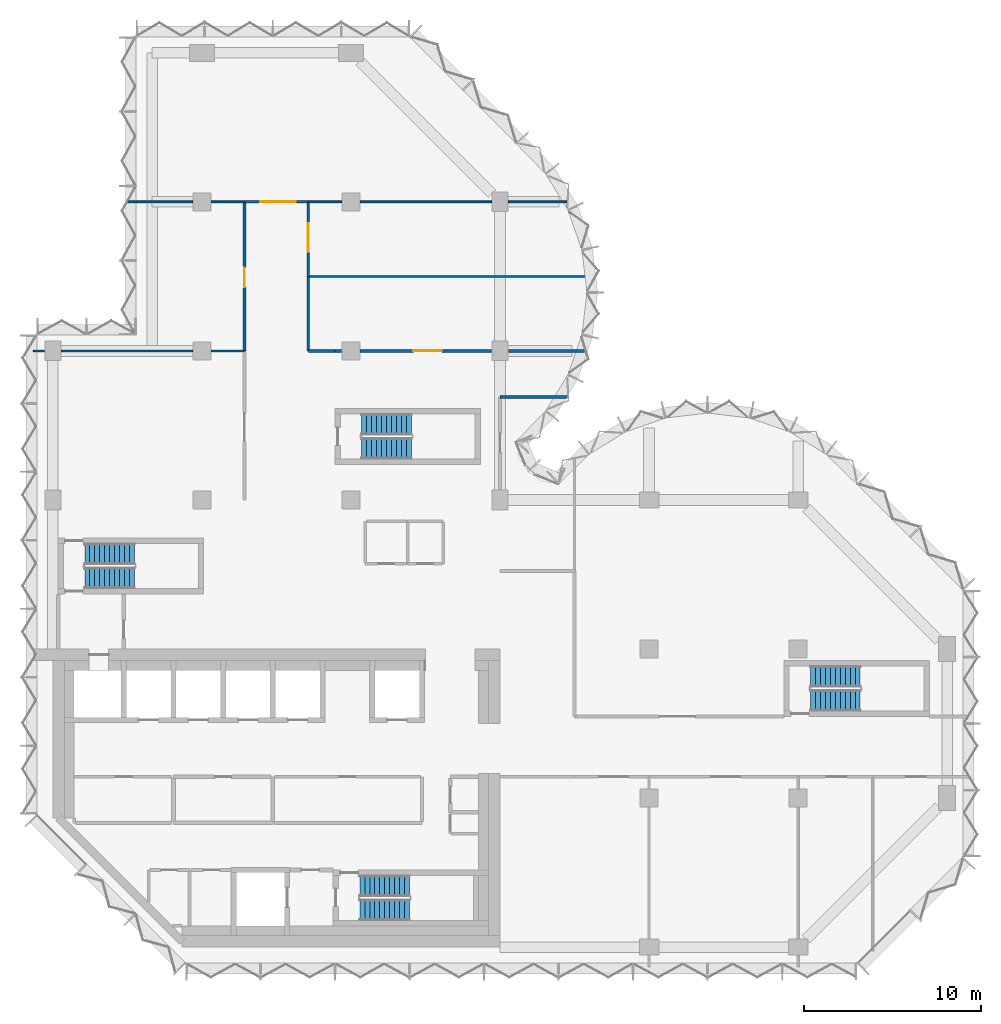
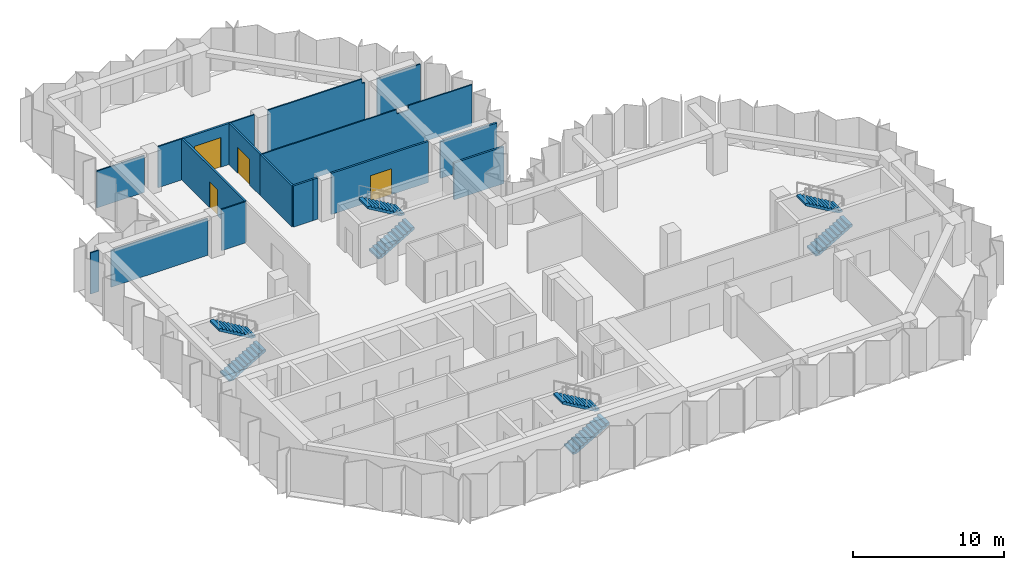
# One storey, part 7 of 9: 18 walls, 8 stair flights, 4 doors, 4 openings, 4 elements without a shape of their own.
"""IFC4 building model written with IfcOpenShell, lengths in metres."""

import ifcopenshell
import ifcopenshell.guid

model = None  # the IFC model being written
_history = None  # IfcOwnerHistory: only IFC2X3 demands one
_inside = {}  # id of a spatial element -> (the spatial element, [elements in it])
_under = {}  # id of a project, library or spatial element -> (it, [spatial elements below it])
_declared = {}  # id of a project -> (the project, [libraries it declares])
_typed = {}  # id of a type object -> (the type object, [elements of that type])
_made_of = {}  # id of a material, layer set ... -> (it, [elements and type objects made of it])


def new_model(schema):
    """Start an empty IFC model of exactly this schema.

    Asked for "IFC4X3", IfcOpenShell would pick the latest addendum, in which some entities
    have other attributes; the version numbers below select the first issue.
    IFC2X3 requires an IfcOwnerHistory on every rooted entity: one is made here for all.
    """
    global model, _history
    if schema == "IFC4X3":
        model = ifcopenshell.file(schema_version=(4, 3, 0, 0))
    else:
        model = ifcopenshell.file(schema=schema)
    _inside.clear()
    _under.clear()
    _declared.clear()
    _typed.clear()
    _made_of.clear()
    _history = None
    if model.schema == "IFC2X3":
        org = make("IfcOrganization", Name="unknown")
        user = make(
            "IfcPersonAndOrganization",
            ThePerson=make("IfcPerson", FamilyName="unknown"),
            TheOrganization=org,
        )
        app = make(
            "IfcApplication",
            ApplicationDeveloper=org,
            Version="unknown",
            ApplicationFullName="unknown",
            ApplicationIdentifier="unknown",
        )
        _history = make(
            "IfcOwnerHistory",
            OwningUser=user,
            OwningApplication=app,
            ChangeAction="ADDED",
            CreationDate=0,
        )
    return model


def make(cls, **values):
    """One entity of the class cls with the attributes given. An attribute that is None is left unset."""
    return model.create_entity(
        cls, **{name: value for name, value in values.items() if value is not None}
    )


def rooted(cls, **values):
    """An entity with a GlobalId (a new one), such as an element, a storey or a relation."""
    return make(cls, GlobalId=ifcopenshell.guid.new(), OwnerHistory=_history, **values)


def si_unit(unit_type, name, prefix=None):
    """IfcSIUnit, for example si_unit("LENGTHUNIT", "METRE", prefix="MILLI")."""
    return make("IfcSIUnit", UnitType=unit_type, Prefix=prefix, Name=name)


def assignment(units):
    """IfcUnitAssignment: the units of a project."""
    return None if units is None else make("IfcUnitAssignment", Units=units)


def point(xyz):
    """IfcCartesianPoint."""
    return None if xyz is None else make("IfcCartesianPoint", Coordinates=xyz)


def direction(xyz):
    """IfcDirection."""
    return None if xyz is None else make("IfcDirection", DirectionRatios=xyz)


def frame(location, z_axis=None, x_axis=None):
    """IfcAxis2Placement3D, a coordinate frame: its origin and axes. An axis left out is left unset."""
    return make(
        "IfcAxis2Placement3D",
        Location=point(location),
        Axis=direction(z_axis),
        RefDirection=direction(x_axis),
    )


def frame_2d(location, x_axis=None):
    """IfcAxis2Placement2D, a coordinate frame in the plane: its origin and x axis."""
    return make(
        "IfcAxis2Placement2D", Location=point(location), RefDirection=direction(x_axis)
    )


def origin():
    """The frame at (0, 0, 0) with its axes left unset."""
    return frame((0.0, 0.0, 0.0))


def place(relative_to, where):
    """IfcLocalPlacement: puts the frame where relative to a parent placement (None: the world)."""
    return make(
        "IfcLocalPlacement", PlacementRelTo=relative_to, RelativePlacement=where
    )


def context(
    kind, dimensions, precision=None, world=None, true_north=None, identifier=None
):
    """IfcGeometricRepresentationContext, for example the 3D "Model" context."""
    return make(
        "IfcGeometricRepresentationContext",
        ContextIdentifier=identifier,
        ContextType=kind,
        CoordinateSpaceDimension=dimensions,
        Precision=precision,
        WorldCoordinateSystem=world,
        TrueNorth=true_north,
    )


def subcontext(parent, identifier, kind, view, scale=None):
    """IfcGeometricRepresentationSubContext, for example "Body" below "Model"."""
    return make(
        "IfcGeometricRepresentationSubContext",
        ContextIdentifier=identifier,
        ContextType=kind,
        ParentContext=parent,
        TargetScale=scale,
        TargetView=view,
    )


def project(units=None, contexts=None):
    """IfcProject with its units and contexts."""
    return rooted(
        "IfcProject",
        Name="project",
        RepresentationContexts=contexts,
        UnitsInContext=assignment(units),
    )


def spatial(cls, under=None, at=None, **own):
    """A site, building, storey or space (cls), placed at a placement, below another one or the project."""
    s = rooted(cls, ObjectPlacement=at, **own)
    if under is not None:
        _under.setdefault(under.id(), (under, []))[1].append(s)
    return s


def polyline(points):
    """IfcPolyline through the points."""
    return make("IfcPolyline", Points=[point(p) for p in points])


def profile(cls, at=None, kind="AREA", **sizes):
    """A parametric profile (cls). Its sizes go by their IFC names, for example OverallWidth=200.0."""
    return make(cls, ProfileType=kind, Position=at, **sizes)


def rectangle(**sizes):
    """IfcRectangleProfileDef."""
    return profile("IfcRectangleProfileDef", **sizes)


def outline(outer, holes=None, kind="AREA"):
    """IfcArbitraryClosedProfileDef: a profile drawn as a closed curve; with holes, ...WithVoids."""
    if holes is None:
        return make("IfcArbitraryClosedProfileDef", ProfileType=kind, OuterCurve=outer)
    return make(
        "IfcArbitraryProfileDefWithVoids",
        ProfileType=kind,
        OuterCurve=outer,
        InnerCurves=holes,
    )


def extrude(swept, where, along, depth):
    """IfcExtrudedAreaSolid: the profile swept, set in the frame where, extruded along a direction by depth."""
    return make(
        "IfcExtrudedAreaSolid",
        SweptArea=swept,
        Position=where,
        ExtrudedDirection=direction(along),
        Depth=depth,
    )


def shape(context_of_items, identifier, shape_type, items):
    """IfcShapeRepresentation: the items that make up one representation, for example the "Body"."""
    return make(
        "IfcShapeRepresentation",
        ContextOfItems=context_of_items,
        RepresentationIdentifier=identifier,
        RepresentationType=shape_type,
        Items=items,
    )


def material(Name=None, Category=None):
    """IfcMaterial."""
    return make("IfcMaterial", Name=Name, Category=Category)


def layer(
    of_material, thickness, ventilated=None, Name=None, Category=None, Priority=None
):
    """IfcMaterialLayer: one layer of a wall or slab, of a material (None: an air gap)."""
    return make(
        "IfcMaterialLayer",
        Material=of_material,
        LayerThickness=thickness,
        IsVentilated=ventilated,
        Name=Name,
        Category=Category,
        Priority=Priority,
    )


def layer_set(layers, Name=None):
    """IfcMaterialLayerSet."""
    return make("IfcMaterialLayerSet", MaterialLayers=layers, LayerSetName=Name)


def made_of(thing, what):
    """Note that an element or type object is made of a material, layer set ...; save() writes the relation."""
    if what is not None:
        _made_of.setdefault(what.id(), (what, []))[1].append(thing)
    return thing


def type_object(cls, material=None, **own):
    """A type object (cls), such as IfcWallType, which elements share."""
    return made_of(rooted(cls, **own), material)


def element(
    cls,
    number,
    at=None,
    inside=None,
    cuts=None,
    type_object=None,
    material=None,
    context=None,
    identifier="Body",
    shape_type=None,
    held_by="IfcProductDefinitionShape",
    body=None,
    shapes=None,
    **own,
):
    """One element of the class cls, such as IfcWall. Its Tag is "e" and its number.

    at: its placement. inside: the storey or other place that contains it. cuts: it is an
    opening in that element (IfcRelVoidsElement). A single representation is given by context,
    identifier, shape_type and body (its items); several are given by shapes. held_by: the class
    of the entity that holds the representations. save() writes the other relations.
    """
    e = rooted(cls, Tag="e%d" % number, ObjectPlacement=at, **own)
    if body is not None:
        shapes = [shape(context, identifier, shape_type, body)]
    if shapes is not None:
        e.Representation = make(held_by, Representations=shapes)
    if inside is not None:
        _inside.setdefault(inside.id(), (inside, []))[1].append(e)
    if cuts is not None:
        rooted(
            "IfcRelVoidsElement", RelatingBuildingElement=cuts, RelatedOpeningElement=e
        )
    if type_object is not None:
        _typed.setdefault(type_object.id(), (type_object, []))[1].append(e)
    return made_of(e, material)


def fill(opening, filler):
    """IfcRelFillsElement: the door or window that sits in an opening."""
    return rooted(
        "IfcRelFillsElement",
        RelatingOpeningElement=opening,
        RelatedBuildingElement=filler,
    )


def aggregate(whole, parts):
    """IfcRelAggregates: a whole, such as a stair, and the parts it consists of."""
    return rooted("IfcRelAggregates", RelatingObject=whole, RelatedObjects=parts)


def save(model, path):
    """Write the relations noted so far, then the file.

    IfcRelAggregates (storeys below a building ...), IfcRelContainedInSpatialStructure (elements
    in a storey), IfcRelDefinesByType, IfcRelAssociatesMaterial and IfcRelDeclares: one each for
    every whole, place, type object, material and project.
    """
    for whole, parts in _under.values():
        aggregate(whole, parts)
    for where, things in _inside.values():
        rooted(
            "IfcRelContainedInSpatialStructure",
            RelatedElements=things,
            RelatingStructure=where,
        )
    for kind, things in _typed.values():
        rooted("IfcRelDefinesByType", RelatedObjects=things, RelatingType=kind)
    for what, things in _made_of.values():
        rooted("IfcRelAssociatesMaterial", RelatedObjects=things, RelatingMaterial=what)
    for by, libraries in _declared.values():
        rooted("IfcRelDeclares", RelatingContext=by, RelatedDefinitions=libraries)
    model.write(path)


model = new_model("IFC4")

# Units and contexts
model_context = context("Model", 3, precision=1e-05, world=origin(), true_north=direction((0.0, 1.0)))
body_context = subcontext(model_context, "Body", "Model", "MODEL_VIEW")
ifc_project = project(units=[si_unit("LENGTHUNIT", "METRE"), si_unit("AREAUNIT", "SQUARE_METRE"), si_unit("VOLUMEUNIT", "CUBIC_METRE"), si_unit("PLANEANGLEUNIT", "RADIAN"), si_unit("MASSUNIT", "GRAM", prefix="KILO")], contexts=[model_context])

# Site, building, storey
site_placement = place(None, origin())
site = spatial("IfcSite", under=ifc_project, at=site_placement, CompositionType="ELEMENT")
building_placement = place(site_placement, origin())
building = spatial("IfcBuilding", under=site, at=building_placement, Name="Brevane Broadcast Tower", CompositionType="ELEMENT")
storey_placement = place(building_placement, frame((0.0, 0.0, 188.39990234375)))
storey = spatial("IfcBuildingStorey", under=building, at=storey_placement, Name="L47", CompositionType="ELEMENT", Elevation=188.39990234375)

# Walls
ifc_material_1 = material(Name="Gypsum board partition")
ifc_layer_1 = layer(ifc_material_1, 0.10009765625)
ifc_layer_set_1 = layer_set([ifc_layer_1], Name="PARTITION 100 STUD")
wall_type_1 = type_object("IfcWallType", Name="PARTITION 100 STUD", PredefinedType="PARTITIONING", material=ifc_layer_set_1)
wall_1_placement = place(storey_placement, frame((10.800048828125, 42.0, 0.0), z_axis=(0.0, 0.0, 1.0), x_axis=(-1.0, 0.0, 0.0)))
element("IfcWall", 1, at=wall_1_placement, inside=storey, type_object=wall_type_1, Name="Partition G14-029", PredefinedType="PARTITIONING", context=body_context, shape_type="SweptSolid", body=[
    extrude(rectangle(XDim=1.880126953125, YDim=0.10009765625, at=frame_2d((0.93994140625, 0.0))), origin(), (0.0, 0.0, 1.0), 3.330078125),
])
wall_2_placement = place(storey_placement, frame((7.8798828125, 42.0, 0.0), z_axis=(0.0, 0.0, 1.0), x_axis=(-1.0, 0.0, 0.0)))
element("IfcWall", 2, at=wall_2_placement, inside=storey, type_object=wall_type_1, Name="Partition G14-030", PredefinedType="PARTITIONING", context=body_context, shape_type="SweptSolid", body=[
    extrude(rectangle(XDim=3.644775390625, YDim=0.10009765625, at=frame_2d((1.822265625, 0.0))), origin(), (0.0, 0.0, 1.0), 2.97998046875),
])
wall_3_placement = place(storey_placement, frame((29.011474609375, 42.0, 0.0), z_axis=(0.0, 0.0, 1.0), x_axis=(-1.0, 0.0, 0.0)))
element("IfcWall", 3, at=wall_3_placement, inside=storey, type_object=wall_type_1, Name="Partition G14-031", PredefinedType="PARTITIONING", context=body_context, shape_type="SweptSolid", body=[
    extrude(rectangle(XDim=3.341552734375, YDim=0.10009765625, at=frame_2d((1.6708984375, 0.0))), origin(), (0.0, 0.0, 1.0), 2.97998046875),
])
wall_4_placement = place(storey_placement, frame((24.72998046875, 42.0, 0.0), z_axis=(0.0, 0.0, 1.0), x_axis=(-1.0, 0.0, 0.0)))
element("IfcWall", 4, at=wall_4_placement, inside=storey, type_object=wall_type_1, Name="Partition G14-032", PredefinedType="PARTITIONING", context=body_context, shape_type="SweptSolid", body=[
    extrude(outline(polyline([(0.0, 0.0), (7.409912109375, 0.0), (7.409912109375, 3.330078125), (0.19580078125, 3.330078125), (0.193603515625, 2.97998046875), (0.0, 2.97998046875), (0.0, 0.0)])), frame((0.0, 0.050048828125, 0.0), z_axis=(0.0, -1.0, 0.0), x_axis=(1.0, 0.0, 0.0)), (0.0, 0.0, 1.0), 0.10009765625),
])
wall_5_placement = place(storey_placement, frame((16.280029296875, 42.0, 0.0), z_axis=(0.0, 0.0, 1.0), x_axis=(-1.0, 0.0, 0.0)))
element("IfcWall", 5, at=wall_5_placement, inside=storey, type_object=wall_type_1, Name="Partition G14-033", PredefinedType="PARTITIONING", context=body_context, shape_type="SweptSolid", body=[
    extrude(rectangle(XDim=1.880126953125, YDim=0.10009765625, at=frame_2d((0.93994140625, 0.0))), origin(), (0.0, 0.0, 1.0), 3.330078125),
])
wall_6_placement = place(storey_placement, frame((-1.10009765625, 33.60009765625, 0.0), z_axis=(0.0, 0.0, 1.0), x_axis=(1.0, 0.0, 0.0)))
element("IfcWall", 6, at=wall_6_placement, inside=storey, type_object=wall_type_1, Name="Partition G14-034", PredefinedType="PARTITIONING", context=body_context, shape_type="SweptSolid", body=[
    extrude(rectangle(XDim=0.630126953125, YDim=0.10009765625, at=frame_2d((0.31494140625, 0.0))), origin(), (0.0, 0.0, 1.0), 3.330078125),
])
wall_7_placement = place(storey_placement, frame((0.469970703125, 33.60009765625, 0.0), z_axis=(0.0, 0.0, 1.0), x_axis=(1.0, 0.0, 0.0)))
element("IfcWall", 7, at=wall_7_placement, inside=storey, type_object=wall_type_1, Name="Partition G14-035", PredefinedType="PARTITIONING", context=body_context, shape_type="SweptSolid", body=[
    extrude(outline(polyline([(0.0, 0.0), (7.409912109375, 0.0), (7.409912109375, 2.97998046875), (0.0, 2.97998046875), (0.0, 0.0)])), frame((0.0, 0.050048828125, 0.0), z_axis=(0.0, -1.0, 0.0), x_axis=(1.0, 0.0, 0.0)), (0.0, 0.0, 1.0), 0.10009765625),
])
wall_8_placement = place(storey_placement, frame((8.919921875, 33.60009765625, 0.0), z_axis=(0.0, 0.0, 1.0), x_axis=(1.0, 0.0, 0.0)))
element("IfcWall", 8, at=wall_8_placement, inside=storey, type_object=wall_type_1, Name="Partition G14-036", PredefinedType="PARTITIONING", context=body_context, shape_type="SweptSolid", body=[
    extrude(rectangle(XDim=1.880126953125, YDim=0.10009765625, at=frame_2d((0.93994140625, 0.0))), origin(), (0.0, 0.0, 1.0), 3.330078125),
])
wall_9_placement = place(storey_placement, frame((14.39990234375, 37.800048828125, 0.0), z_axis=(0.0, 0.0, 1.0), x_axis=(1.0, 0.0, 0.0)))
element("IfcWall", 9, at=wall_9_placement, inside=storey, type_object=wall_type_1, Name="Partition G14-037", PredefinedType="PARTITIONING", context=body_context, shape_type="SweptSolid", body=[
    extrude(outline(polyline([(0.0, 0.0), (16.1259765625, 0.0), (16.1259765625, 3.330078125), (15.8427734375, 3.330078125), (11.25, 3.330078125), (11.248046875, 2.97998046875), (10.35205078125, 2.97998046875), (10.35009765625, 3.330078125), (0.0, 3.330078125), (0.0, 0.0)])), frame((0.0, 0.050048828125, 0.0), z_axis=(0.0, -1.0, 0.0), x_axis=(1.0, 0.0, 0.0)), (0.0, 0.0, 1.0), 0.10009765625),
])
ifc_layer_2 = layer(ifc_material_1, 0.14990234375)
ifc_layer_set_2 = layer_set([ifc_layer_2], Name="PARTITION 150 EI 60")
wall_type_2 = type_object("IfcWallType", Name="PARTITION 150 EI 60", PredefinedType="PARTITIONING", material=ifc_layer_set_2)
wall_10_placement = place(storey_placement, frame((25.199951171875, 31.0, 0.0), z_axis=(0.0, 0.0, 1.0), x_axis=(1.0, 0.0, 0.0)))
element("IfcWall", 10, at=wall_10_placement, inside=storey, type_object=wall_type_2, Name="Partition G14-006", PredefinedType="PARTITIONING", context=body_context, shape_type="SweptSolid", body=[
    extrude(rectangle(XDim=3.80615234375, YDim=0.14990234375, at=frame_2d((1.903076171875, 0.0))), origin(), (0.0, 0.0, 1.0), 2.97998046875),
])
wall_11_placement = place(storey_placement, frame((14.39990234375, 33.60009765625, 0.0), z_axis=(0.0, 0.0, 1.0), x_axis=(1.0, 0.0, 0.0)))
element("IfcWall", 11, at=wall_11_placement, inside=storey, type_object=wall_type_2, Name="Partition G14-021", PredefinedType="PARTITIONING", context=body_context, shape_type="SweptSolid", body=[
    extrude(rectangle(XDim=1.5, YDim=0.14990234375, at=frame_2d((0.75, 0.0))), origin(), (0.0, 0.0, 1.0), 3.330078125),
])
wall_12_placement = place(storey_placement, frame((15.89990234375, 33.60009765625, 0.0), z_axis=(0.0, 0.0, 1.0), x_axis=(1.0, 0.0, 0.0)))
element("IfcWall", 12, at=wall_12_placement, inside=storey, type_object=wall_type_2, Name="Partition G14-022", PredefinedType="PARTITIONING", context=body_context, shape_type="SweptSolid", body=[
    extrude(rectangle(XDim=0.380126953125, YDim=0.14990234375, at=frame_2d((0.18994140625, 0.0))), origin(), (0.0, 0.0, 1.0), 3.330078125),
])

# Wall, opening, door
wall_13_placement = place(storey_placement, frame((17.320068359375, 33.60009765625, 0.0), z_axis=(0.0, 0.0, 1.0), x_axis=(1.0, 0.0, 0.0)))
wall_13 = element("IfcWall", 13, at=wall_13_placement, inside=storey, type_object=wall_type_2, Name="Partition G14-023", PredefinedType="PARTITIONING", context=body_context, shape_type="SweptSolid", body=[
    extrude(rectangle(XDim=7.409912109375, YDim=0.14990234375, at=frame_2d((3.705078125, 0.0))), origin(), (0.0, 0.0, 1.0), 3.330078125),
])
opening_1_placement = place(wall_13_placement, frame((3.0, 0.0, 0.0)))
opening_1 = element("IfcOpeningElement", 14, at=opening_1_placement, cuts=wall_13, Name="Opening D23-010", PredefinedType="OPENING", context=body_context, shape_type="SweptSolid", body=[
    extrude(rectangle(XDim=1.60009765625, YDim=2.10009765625, at=frame_2d((0.800048828125, 1.050048828125))), frame((0.0, 0.0849609375, 0.0), z_axis=(0.0, -1.0, 0.0), x_axis=(1.0, 0.0, 0.0)), (0.0, 0.0, 1.0), 0.169921875),
])
ifc_material_2 = material(Name="Fire-rated timber door leaf", Category="wood")
door_type_1 = type_object("IfcDoorType", Name="DOOR DOUBLE 1600 FD30S", OperationType="DOUBLE_DOOR_SINGLE_SWING", PredefinedType="DOOR", material=ifc_material_2)
door_1_placement = place(opening_1_placement, origin())
door_1 = element("IfcDoor", 15, at=door_1_placement, inside=storey, type_object=door_type_1, Name="Door D23-010", OperationType="DOUBLE_DOOR_SINGLE_SWING", OverallHeight=2.10009765625, OverallWidth=1.60009765625, PredefinedType="DOOR", context=body_context, shape_type="SweptSolid", body=[
    extrude(rectangle(XDim=1.60009765625, YDim=2.10009765625, at=frame_2d((0.800048828125, 1.050048828125))), frame((0.0, 0.02490234375, 0.0), z_axis=(0.0, -1.0, 0.0), x_axis=(1.0, 0.0, 0.0)), (0.0, 0.0, 1.0), 0.050048828125),
])
fill(opening_1, door_1)

# Wall
wall_14_placement = place(storey_placement, frame((25.669921875, 33.60009765625, 0.0), z_axis=(0.0, 0.0, 1.0), x_axis=(1.0, 0.0, 0.0)))
element("IfcWall", 16, at=wall_14_placement, inside=storey, type_object=wall_type_2, Name="Partition G14-024", PredefinedType="PARTITIONING", context=body_context, shape_type="SweptSolid", body=[
    extrude(rectangle(XDim=4.318359375, YDim=0.14990234375, at=frame_2d((2.1591796875, 0.0))), origin(), (0.0, 0.0, 1.0), 2.97998046875),
])

# Wall, opening, door
wall_15_placement = place(storey_placement, frame((10.800048828125, 42.0, 0.0), z_axis=(0.0, 0.0, 1.0), x_axis=(1.0, 0.0, 0.0)))
wall_15 = element("IfcWall", 17, at=wall_15_placement, inside=storey, type_object=wall_type_2, Name="Partition G14-025", PredefinedType="PARTITIONING", context=body_context, shape_type="SweptSolid", body=[
    extrude(rectangle(XDim=3.599853515625, YDim=0.14990234375, at=frame_2d((1.7998046875, 0.0))), origin(), (0.0, 0.0, 1.0), 3.330078125),
])
opening_2_placement = place(wall_15_placement, frame((0.89990234375, 0.0, 0.0)))
opening_2 = element("IfcOpeningElement", 18, at=opening_2_placement, cuts=wall_15, Name="Opening D23-007", PredefinedType="OPENING", context=body_context, shape_type="SweptSolid", body=[
    extrude(rectangle(XDim=2.0, YDim=2.39990234375, at=frame_2d((1.0, 1.199951171875))), frame((0.0, 0.0849609375, 0.0), z_axis=(0.0, -1.0, 0.0), x_axis=(1.0, 0.0, 0.0)), (0.0, 0.0, 1.0), 0.169921875),
])
door_type_2 = type_object("IfcDoorType", Name="DOOR DOUBLE 2000 FD30S", OperationType="DOUBLE_DOOR_SINGLE_SWING", PredefinedType="DOOR", material=ifc_material_2)
door_2_placement = place(opening_2_placement, origin())
door_2 = element("IfcDoor", 19, at=door_2_placement, inside=storey, type_object=door_type_2, Name="Door D23-007", OperationType="DOUBLE_DOOR_SINGLE_SWING", OverallHeight=2.39990234375, OverallWidth=2.0, PredefinedType="DOOR", context=body_context, shape_type="SweptSolid", body=[
    extrude(rectangle(XDim=2.0, YDim=2.39990234375, at=frame_2d((1.0, 1.199951171875))), frame((0.0, 0.02490234375, 0.0), z_axis=(0.0, -1.0, 0.0), x_axis=(1.0, 0.0, 0.0)), (0.0, 0.0, 1.0), 0.050048828125),
])
fill(opening_2, door_2)

wall_16_placement = place(storey_placement, frame((10.800048828125, 33.60009765625, 0.0), z_axis=(0.0, 0.0, 1.0), x_axis=(0.0, 1.0, 0.0)))
wall_16 = element("IfcWall", 20, at=wall_16_placement, inside=storey, type_object=wall_type_2, Name="Partition G14-026", PredefinedType="PARTITIONING", context=body_context, shape_type="SweptSolid", body=[
    extrude(rectangle(XDim=8.39990234375, YDim=0.14990234375, at=frame_2d((4.199951171875, 0.0))), origin(), (0.0, 0.0, 1.0), 3.330078125),
])
opening_3_placement = place(wall_16_placement, frame((3.60009765625, 0.0, 0.0)))
opening_3 = element("IfcOpeningElement", 21, at=opening_3_placement, cuts=wall_16, Name="Opening D23-009", PredefinedType="OPENING", context=body_context, shape_type="SweptSolid", body=[
    extrude(rectangle(XDim=1.10009765625, YDim=2.10009765625, at=frame_2d((0.550048828125, 1.050048828125))), frame((0.0, 0.0849609375, 0.0), z_axis=(0.0, -1.0, 0.0), x_axis=(1.0, 0.0, 0.0)), (0.0, 0.0, 1.0), 0.169921875),
])
door_type_3 = type_object("IfcDoorType", Name="DOOR SINGLE 1100 FD30S", OperationType="SINGLE_SWING_LEFT", PredefinedType="DOOR", material=ifc_material_2)
door_3_placement = place(opening_3_placement, origin())
door_3 = element("IfcDoor", 22, at=door_3_placement, inside=storey, type_object=door_type_3, Name="Door D23-009", OperationType="SINGLE_SWING_LEFT", OverallHeight=2.10009765625, OverallWidth=1.10009765625, PredefinedType="DOOR", context=body_context, shape_type="SweptSolid", body=[
    extrude(rectangle(XDim=1.10009765625, YDim=2.10009765625, at=frame_2d((0.550048828125, 1.050048828125))), frame((0.0, 0.02490234375, 0.0), z_axis=(0.0, -1.0, 0.0), x_axis=(1.0, 0.0, 0.0)), (0.0, 0.0, 1.0), 0.050048828125),
])
fill(opening_3, door_3)

# Wall
wall_17_placement = place(storey_placement, frame((14.39990234375, 37.800048828125, 0.0), z_axis=(0.0, 0.0, 1.0), x_axis=(0.0, -1.0, 0.0)))
element("IfcWall", 23, at=wall_17_placement, inside=storey, type_object=wall_type_2, Name="Partition G14-027", PredefinedType="PARTITIONING", context=body_context, shape_type="SweptSolid", body=[
    extrude(rectangle(XDim=4.199951171875, YDim=0.14990234375, at=frame_2d((2.10009765625, 0.0))), origin(), (0.0, 0.0, 1.0), 3.330078125),
])

# Wall, opening, door
wall_18_placement = place(storey_placement, frame((14.39990234375, 42.0, 0.0), z_axis=(0.0, 0.0, 1.0), x_axis=(0.0, -1.0, 0.0)))
wall_18 = element("IfcWall", 24, at=wall_18_placement, inside=storey, type_object=wall_type_2, Name="Partition G14-028", PredefinedType="PARTITIONING", context=body_context, shape_type="SweptSolid", body=[
    extrude(rectangle(XDim=4.199951171875, YDim=0.14990234375, at=frame_2d((2.10009765625, 0.0))), origin(), (0.0, 0.0, 1.0), 3.330078125),
])
opening_4_placement = place(wall_18_placement, frame((1.199951171875, 0.0, 0.0)))
opening_4 = element("IfcOpeningElement", 25, at=opening_4_placement, cuts=wall_18, Name="Opening D23-011", PredefinedType="OPENING", context=body_context, shape_type="SweptSolid", body=[
    extrude(rectangle(XDim=1.60009765625, YDim=2.10009765625, at=frame_2d((0.800048828125, 1.050048828125))), frame((0.0, 0.0849609375, 0.0), z_axis=(0.0, -1.0, 0.0), x_axis=(1.0, 0.0, 0.0)), (0.0, 0.0, 1.0), 0.169921875),
])
door_4_placement = place(opening_4_placement, origin())
door_4 = element("IfcDoor", 26, at=door_4_placement, inside=storey, type_object=door_type_1, Name="Door D23-011", OperationType="DOUBLE_DOOR_SINGLE_SWING", OverallHeight=2.10009765625, OverallWidth=1.60009765625, PredefinedType="DOOR", context=body_context, shape_type="SweptSolid", body=[
    extrude(rectangle(XDim=1.60009765625, YDim=2.10009765625, at=frame_2d((0.800048828125, 1.050048828125))), frame((0.0, 0.02490234375, 0.0), z_axis=(0.0, -1.0, 0.0), x_axis=(1.0, 0.0, 0.0)), (0.0, 0.0, 1.0), 0.050048828125),
])
fill(opening_4, door_4)

# Stair, stair flights
ifc_material_3 = material(Name="Concrete C50/60", Category="concrete")
stair_type = type_object("IfcStairType", Name="Exit stair 22 risers", PredefinedType="HALF_TURN_STAIR", material=ifc_material_3)
stair_1_placement = place(storey_placement, origin())
stair_1 = element("IfcStair", 27, at=stair_1_placement, inside=storey, type_object=stair_type, Name="L47 Exit stair ST-1", PredefinedType="HALF_TURN_STAIR")
stair_flight_type = type_object("IfcStairFlightType", Name="Exit stair flight 22 risers", PredefinedType="STRAIGHT", material=ifc_material_3)
stair_flight_1_placement = place(storey_placement, frame((1.800048828125, 20.800048828125, 0.0), z_axis=(0.0, 0.0, 1.0), x_axis=(1.0, 0.0, 0.0)))
stair_flight_1 = element("IfcStairFlight", 28, at=stair_flight_1_placement, type_object=stair_flight_type, Name="ST-1 flight 1", NumberOfRisers=11, NumberOfTreads=10, PredefinedType="STRAIGHT", RiserHeight=0.163636364, TreadLength=0.28, context=body_context, shape_type="SweptSolid", body=[
    extrude(outline(polyline([(0.0, 0.0), (0.0, 0.16357421875), (0.280029296875, 0.16357421875), (0.280029296875, 0.327392578125), (0.56005859375, 0.327392578125), (0.56005859375, 0.490966796875), (0.840087890625, 0.490966796875), (0.840087890625, 0.654541015625), (1.1201171875, 0.654541015625), (1.1201171875, 0.818115234375), (1.39990234375, 0.818115234375), (1.39990234375, 0.98193359375), (1.679931640625, 0.98193359375), (1.679931640625, 1.1455078125), (1.9599609375, 1.1455078125), (1.9599609375, 1.30908203125), (2.239990234375, 1.30908203125), (2.239990234375, 1.47265625), (2.52001953125, 1.47265625), (2.52001953125, 1.636474609375), (2.800048828125, 1.636474609375), (2.800048828125, 1.800048828125), (2.800048828125, 1.462646484375), (0.297119140625, 0.0), (0.0, 0.0)])), frame((0.0, 0.60009765625, 0.0), z_axis=(0.0, -1.0, 0.0), x_axis=(1.0, 0.0, 0.0)), (0.0, 0.0, 1.0), 1.199951171875),
])
stair_flight_2_placement = place(storey_placement, frame((4.60009765625, 22.14990234375, 1.800048828125), z_axis=(0.0, 0.0, 1.0), x_axis=(-1.0, 0.0, 0.0)))
stair_flight_2 = element("IfcStairFlight", 29, at=stair_flight_2_placement, type_object=stair_flight_type, Name="ST-1 flight 2", NumberOfRisers=11, NumberOfTreads=10, PredefinedType="STRAIGHT", RiserHeight=0.163636364, TreadLength=0.28, context=body_context, shape_type="SweptSolid", body=[
    extrude(outline(polyline([(0.0, 0.0), (0.0, 0.16357421875), (0.280029296875, 0.16357421875), (0.280029296875, 0.327392578125), (0.56005859375, 0.327392578125), (0.56005859375, 0.490966796875), (0.840087890625, 0.490966796875), (0.840087890625, 0.654541015625), (1.1201171875, 0.654541015625), (1.1201171875, 0.818115234375), (1.39990234375, 0.818115234375), (1.39990234375, 0.98193359375), (1.679931640625, 0.98193359375), (1.679931640625, 1.1455078125), (1.9599609375, 1.1455078125), (1.9599609375, 1.30908203125), (2.239990234375, 1.30908203125), (2.239990234375, 1.47265625), (2.52001953125, 1.47265625), (2.52001953125, 1.636474609375), (2.800048828125, 1.636474609375), (2.800048828125, 1.800048828125), (2.800048828125, 1.462646484375), (0.297119140625, 0.0), (0.0, 0.0)])), frame((0.0, 0.60009765625, 0.0), z_axis=(0.0, -1.0, 0.0), x_axis=(1.0, 0.0, 0.0)), (0.0, 0.0, 1.0), 1.199951171875),
])
aggregate(stair_1, [stair_flight_1, stair_flight_2])

stair_2_placement = place(storey_placement, origin())
stair_2 = element("IfcStair", 30, at=stair_2_placement, inside=storey, type_object=stair_type, Name="L47 Exit stair ST-2", PredefinedType="HALF_TURN_STAIR")
stair_flight_3_placement = place(storey_placement, frame((17.300048828125, 2.10009765625, 0.0), z_axis=(0.0, 0.0, 1.0), x_axis=(1.0, 0.0, 0.0)))
stair_flight_3 = element("IfcStairFlight", 31, at=stair_flight_3_placement, type_object=stair_flight_type, Name="ST-2 flight 1", NumberOfRisers=11, NumberOfTreads=10, PredefinedType="STRAIGHT", RiserHeight=0.163636364, TreadLength=0.28, context=body_context, shape_type="SweptSolid", body=[
    extrude(outline(polyline([(0.0, 0.0), (0.0, 0.16357421875), (0.280029296875, 0.16357421875), (0.280029296875, 0.327392578125), (0.56005859375, 0.327392578125), (0.56005859375, 0.490966796875), (0.840087890625, 0.490966796875), (0.840087890625, 0.654541015625), (1.1201171875, 0.654541015625), (1.1201171875, 0.818115234375), (1.39990234375, 0.818115234375), (1.39990234375, 0.98193359375), (1.679931640625, 0.98193359375), (1.679931640625, 1.1455078125), (1.9599609375, 1.1455078125), (1.9599609375, 1.30908203125), (2.239990234375, 1.30908203125), (2.239990234375, 1.47265625), (2.52001953125, 1.47265625), (2.52001953125, 1.636474609375), (2.800048828125, 1.636474609375), (2.800048828125, 1.800048828125), (2.800048828125, 1.462646484375), (0.297119140625, 0.0), (0.0, 0.0)])), frame((0.0, 0.60009765625, 0.0), z_axis=(0.0, -1.0, 0.0), x_axis=(1.0, 0.0, 0.0)), (0.0, 0.0, 1.0), 1.199951171875),
])
stair_flight_4_placement = place(storey_placement, frame((20.10009765625, 3.449951171875, 1.800048828125), z_axis=(0.0, 0.0, 1.0), x_axis=(-1.0, 0.0, 0.0)))
stair_flight_4 = element("IfcStairFlight", 32, at=stair_flight_4_placement, type_object=stair_flight_type, Name="ST-2 flight 2", NumberOfRisers=11, NumberOfTreads=10, PredefinedType="STRAIGHT", RiserHeight=0.163636364, TreadLength=0.28, context=body_context, shape_type="SweptSolid", body=[
    extrude(outline(polyline([(0.0, 0.0), (0.0, 0.16357421875), (0.280029296875, 0.16357421875), (0.280029296875, 0.327392578125), (0.56005859375, 0.327392578125), (0.56005859375, 0.490966796875), (0.840087890625, 0.490966796875), (0.840087890625, 0.654541015625), (1.1201171875, 0.654541015625), (1.1201171875, 0.818115234375), (1.39990234375, 0.818115234375), (1.39990234375, 0.98193359375), (1.679931640625, 0.98193359375), (1.679931640625, 1.1455078125), (1.9599609375, 1.1455078125), (1.9599609375, 1.30908203125), (2.239990234375, 1.30908203125), (2.239990234375, 1.47265625), (2.52001953125, 1.47265625), (2.52001953125, 1.636474609375), (2.800048828125, 1.636474609375), (2.800048828125, 1.800048828125), (2.800048828125, 1.462646484375), (0.297119140625, 0.0), (0.0, 0.0)])), frame((0.0, 0.60009765625, 0.0), z_axis=(0.0, -1.0, 0.0), x_axis=(1.0, 0.0, 0.0)), (0.0, 0.0, 1.0), 1.199951171875),
])
aggregate(stair_2, [stair_flight_3, stair_flight_4])

stair_3_placement = place(storey_placement, origin())
stair_3 = element("IfcStair", 33, at=stair_3_placement, inside=storey, type_object=stair_type, Name="L47 Exit stair ST-3", PredefinedType="HALF_TURN_STAIR")
stair_flight_5_placement = place(storey_placement, frame((17.39990234375, 28.10009765625, 0.0), z_axis=(0.0, 0.0, 1.0), x_axis=(1.0, 0.0, 0.0)))
stair_flight_5 = element("IfcStairFlight", 34, at=stair_flight_5_placement, type_object=stair_flight_type, Name="ST-3 flight 1", NumberOfRisers=11, NumberOfTreads=10, PredefinedType="STRAIGHT", RiserHeight=0.163636364, TreadLength=0.28, context=body_context, shape_type="SweptSolid", body=[
    extrude(outline(polyline([(0.0, 0.0), (0.0, 0.16357421875), (0.280029296875, 0.16357421875), (0.280029296875, 0.327392578125), (0.56005859375, 0.327392578125), (0.56005859375, 0.490966796875), (0.840087890625, 0.490966796875), (0.840087890625, 0.654541015625), (1.1201171875, 0.654541015625), (1.1201171875, 0.818115234375), (1.39990234375, 0.818115234375), (1.39990234375, 0.98193359375), (1.679931640625, 0.98193359375), (1.679931640625, 1.1455078125), (1.9599609375, 1.1455078125), (1.9599609375, 1.30908203125), (2.239990234375, 1.30908203125), (2.239990234375, 1.47265625), (2.52001953125, 1.47265625), (2.52001953125, 1.636474609375), (2.800048828125, 1.636474609375), (2.800048828125, 1.800048828125), (2.800048828125, 1.462646484375), (0.297119140625, 0.0), (0.0, 0.0)])), frame((0.0, 0.60009765625, 0.0), z_axis=(0.0, -1.0, 0.0), x_axis=(1.0, 0.0, 0.0)), (0.0, 0.0, 1.0), 1.199951171875),
])
stair_flight_6_placement = place(storey_placement, frame((20.199951171875, 29.449951171875, 1.800048828125), z_axis=(0.0, 0.0, 1.0), x_axis=(-1.0, 0.0, 0.0)))
stair_flight_6 = element("IfcStairFlight", 35, at=stair_flight_6_placement, type_object=stair_flight_type, Name="ST-3 flight 2", NumberOfRisers=11, NumberOfTreads=10, PredefinedType="STRAIGHT", RiserHeight=0.163636364, TreadLength=0.28, context=body_context, shape_type="SweptSolid", body=[
    extrude(outline(polyline([(0.0, 0.0), (0.0, 0.16357421875), (0.280029296875, 0.16357421875), (0.280029296875, 0.327392578125), (0.56005859375, 0.327392578125), (0.56005859375, 0.490966796875), (0.840087890625, 0.490966796875), (0.840087890625, 0.654541015625), (1.1201171875, 0.654541015625), (1.1201171875, 0.818115234375), (1.39990234375, 0.818115234375), (1.39990234375, 0.98193359375), (1.679931640625, 0.98193359375), (1.679931640625, 1.1455078125), (1.9599609375, 1.1455078125), (1.9599609375, 1.30908203125), (2.239990234375, 1.30908203125), (2.239990234375, 1.47265625), (2.52001953125, 1.47265625), (2.52001953125, 1.636474609375), (2.800048828125, 1.636474609375), (2.800048828125, 1.800048828125), (2.800048828125, 1.462646484375), (0.297119140625, 0.0), (0.0, 0.0)])), frame((0.0, 0.60009765625, 0.0), z_axis=(0.0, -1.0, 0.0), x_axis=(1.0, 0.0, 0.0)), (0.0, 0.0, 1.0), 1.199951171875),
])
aggregate(stair_3, [stair_flight_5, stair_flight_6])

stair_4_placement = place(storey_placement, origin())
stair_4 = element("IfcStair", 36, at=stair_4_placement, inside=storey, type_object=stair_type, Name="L47 Exit stair ST-4", PredefinedType="HALF_TURN_STAIR")
stair_flight_7_placement = place(storey_placement, frame((42.699951171875, 13.89990234375, 0.0), z_axis=(0.0, 0.0, 1.0), x_axis=(1.0, 0.0, 0.0)))
stair_flight_7 = element("IfcStairFlight", 37, at=stair_flight_7_placement, type_object=stair_flight_type, Name="ST-4 flight 1", NumberOfRisers=11, NumberOfTreads=10, PredefinedType="STRAIGHT", RiserHeight=0.163636364, TreadLength=0.28, context=body_context, shape_type="SweptSolid", body=[
    extrude(outline(polyline([(0.0, 0.0), (0.0, 0.16357421875), (0.280029296875, 0.16357421875), (0.280029296875, 0.327392578125), (0.56005859375, 0.327392578125), (0.56005859375, 0.490966796875), (0.840087890625, 0.490966796875), (0.840087890625, 0.654541015625), (1.1201171875, 0.654541015625), (1.1201171875, 0.818115234375), (1.39990234375, 0.818115234375), (1.39990234375, 0.98193359375), (1.679931640625, 0.98193359375), (1.679931640625, 1.1455078125), (1.9599609375, 1.1455078125), (1.9599609375, 1.30908203125), (2.239990234375, 1.30908203125), (2.239990234375, 1.47265625), (2.52001953125, 1.47265625), (2.52001953125, 1.636474609375), (2.800048828125, 1.636474609375), (2.800048828125, 1.800048828125), (2.800048828125, 1.462646484375), (0.297119140625, 0.0), (0.0, 0.0)])), frame((0.0, 0.60009765625, 0.0), z_axis=(0.0, -1.0, 0.0), x_axis=(1.0, 0.0, 0.0)), (0.0, 0.0, 1.0), 1.199951171875),
])
stair_flight_8_placement = place(storey_placement, frame((45.5, 15.25, 1.800048828125), z_axis=(0.0, 0.0, 1.0), x_axis=(-1.0, 0.0, 0.0)))
stair_flight_8 = element("IfcStairFlight", 38, at=stair_flight_8_placement, type_object=stair_flight_type, Name="ST-4 flight 2", NumberOfRisers=11, NumberOfTreads=10, PredefinedType="STRAIGHT", RiserHeight=0.163636364, TreadLength=0.28, context=body_context, shape_type="SweptSolid", body=[
    extrude(outline(polyline([(0.0, 0.0), (0.0, 0.16357421875), (0.280029296875, 0.16357421875), (0.280029296875, 0.327392578125), (0.56005859375, 0.327392578125), (0.56005859375, 0.490966796875), (0.840087890625, 0.490966796875), (0.840087890625, 0.654541015625), (1.1201171875, 0.654541015625), (1.1201171875, 0.818115234375), (1.39990234375, 0.818115234375), (1.39990234375, 0.98193359375), (1.679931640625, 0.98193359375), (1.679931640625, 1.1455078125), (1.9599609375, 1.1455078125), (1.9599609375, 1.30908203125), (2.239990234375, 1.30908203125), (2.239990234375, 1.47265625), (2.52001953125, 1.47265625), (2.52001953125, 1.636474609375), (2.800048828125, 1.636474609375), (2.800048828125, 1.800048828125), (2.800048828125, 1.462646484375), (0.297119140625, 0.0), (0.0, 0.0)])), frame((0.0, 0.60009765625, 0.0), z_axis=(0.0, -1.0, 0.0), x_axis=(1.0, 0.0, 0.0)), (0.0, 0.0, 1.0), 1.199951171875),
])
aggregate(stair_4, [stair_flight_7, stair_flight_8])

save(model, "model.ifc")
